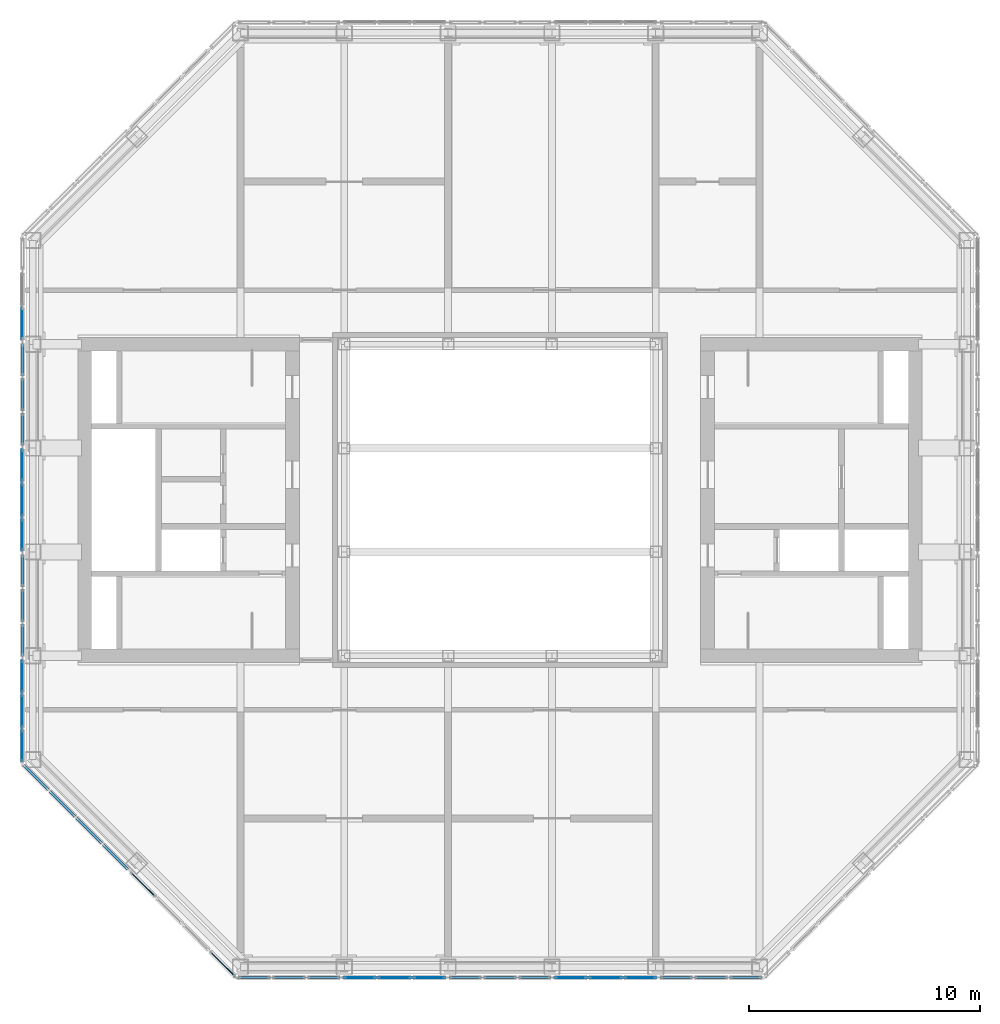
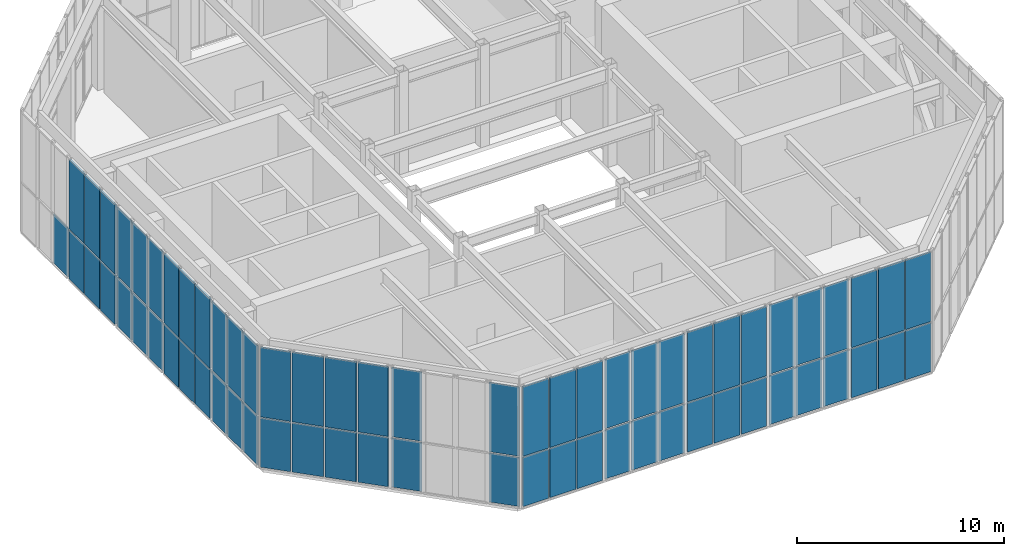
# One storey, part 10 of 15: 67 plates, 12 elements without a shape of their own.
"""IFC4 building model written with IfcOpenShell, lengths in metres."""

from ifc_helpers import new_model, si_unit, direction, frame, origin, origin_2d, place, context, subcontext, project, spatial, rectangle, extrude, material, layer, layer_set, type_object, element, aggregate, save


model = new_model("IFC4")

# Units and contexts
model_context = context("Model", 3, precision=1e-05, world=origin(), true_north=direction((0.0, 1.0)))
body_context = subcontext(model_context, "Body", "Model", "MODEL_VIEW")
ifc_project = project(units=[si_unit("LENGTHUNIT", "METRE"), si_unit("AREAUNIT", "SQUARE_METRE"), si_unit("VOLUMEUNIT", "CUBIC_METRE"), si_unit("PLANEANGLEUNIT", "RADIAN"), si_unit("MASSUNIT", "GRAM", prefix="KILO")], contexts=[model_context])

# Site, building, storey
site_placement = place(None, origin())
site = spatial("IfcSite", under=ifc_project, at=site_placement, CompositionType="ELEMENT")
building_placement = place(site_placement, origin())
building = spatial("IfcBuilding", under=site, at=building_placement, Name="Msasa Ring Tower", CompositionType="ELEMENT")
storey_placement = place(building_placement, frame((0.0, 0.0, 268.050048828125)))
storey = spatial("IfcBuildingStorey", under=building, at=storey_placement, Name="L69", CompositionType="ELEMENT", Elevation=268.050048828125)

# Curtain wall, plates
ifc_material_1 = material(Name="Aluminium curtain wall with clear glass", Category="aluminium")
curtain_wall_type_1 = type_object("IfcCurtainWallType", Name="CW-L LANTERN CURTAIN WALL", PredefinedType="NOTDEFINED", material=ifc_material_1)
curtain_wall_1_placement = place(storey_placement, origin())
curtain_wall_1 = element("IfcCurtainWall", 1, at=curtain_wall_1_placement, inside=storey, type_object=curtain_wall_type_1, Name="Lantern curtain wall S2 L69", PredefinedType="NOTDEFINED")
ifc_material_2 = material(Name="Clear laminated insulating glass unit", Category="glass")
ifc_layer_1 = layer(ifc_material_2, 0.0400390625)
ifc_layer_set_1 = layer_set([ifc_layer_1], Name="CW-L GLASS PANEL 40")
plate_type_1 = type_object("IfcPlateType", Name="CW-L GLASS PANEL 40", PredefinedType="CURTAIN_PANEL", material=ifc_layer_set_1)
plate_1_placement = place(storey_placement, frame((-6.079345703125, -20.699951171875, 0.080078125), z_axis=(0.0, 0.0, 1.0), x_axis=(1.0, 0.0, 0.0)))
plate_1 = element("IfcPlate", 2, at=plate_1_placement, type_object=plate_type_1, Name="CW-L panel 1.1", PredefinedType="CURTAIN_PANEL", context=body_context, shape_type="SweptSolid", body=[
    extrude(rectangle(XDim=1.40478515625, YDim=0.0400390625, at=origin_2d()), origin(), (0.0, 0.0, 1.0), 2.8798828125),
])
plate_2_placement = place(storey_placement, frame((-6.079345703125, -20.699951171875, 3.039794921875), z_axis=(0.0, 0.0, 1.0), x_axis=(1.0, 0.0, 0.0)))
plate_2 = element("IfcPlate", 3, at=plate_2_placement, type_object=plate_type_1, Name="CW-L panel 1.2", PredefinedType="CURTAIN_PANEL", context=body_context, shape_type="SweptSolid", body=[
    extrude(rectangle(XDim=1.40478515625, YDim=0.0400390625, at=origin_2d()), origin(), (0.0, 0.0, 1.0), 4.080078125),
])
plate_3_placement = place(storey_placement, frame((-4.574462890625, -20.699951171875, 0.080078125), z_axis=(0.0, 0.0, 1.0), x_axis=(1.0, 0.0, 0.0)))
plate_3 = element("IfcPlate", 4, at=plate_3_placement, type_object=plate_type_1, Name="CW-L panel 2.1", PredefinedType="CURTAIN_PANEL", context=body_context, shape_type="SweptSolid", body=[
    extrude(rectangle(XDim=1.44482421875, YDim=0.0400390625, at=origin_2d()), origin(), (0.0, 0.0, 1.0), 2.8798828125),
])
plate_4_placement = place(storey_placement, frame((-4.574462890625, -20.699951171875, 3.039794921875), z_axis=(0.0, 0.0, 1.0), x_axis=(1.0, 0.0, 0.0)))
plate_4 = element("IfcPlate", 5, at=plate_4_placement, type_object=plate_type_1, Name="CW-L panel 2.2", PredefinedType="CURTAIN_PANEL", context=body_context, shape_type="SweptSolid", body=[
    extrude(rectangle(XDim=1.44482421875, YDim=0.0400390625, at=origin_2d()), origin(), (0.0, 0.0, 1.0), 4.080078125),
])
plate_5_placement = place(storey_placement, frame((-3.06982421875, -20.699951171875, 0.080078125), z_axis=(0.0, 0.0, 1.0), x_axis=(1.0, 0.0, 0.0)))
plate_5 = element("IfcPlate", 6, at=plate_5_placement, type_object=plate_type_1, Name="CW-L panel 3.1", PredefinedType="CURTAIN_PANEL", context=body_context, shape_type="SweptSolid", body=[
    extrude(rectangle(XDim=1.40478515625, YDim=0.0400390625, at=origin_2d()), origin(), (0.0, 0.0, 1.0), 2.8798828125),
])
plate_6_placement = place(storey_placement, frame((-3.06982421875, -20.699951171875, 3.039794921875), z_axis=(0.0, 0.0, 1.0), x_axis=(1.0, 0.0, 0.0)))
plate_6 = element("IfcPlate", 7, at=plate_6_placement, type_object=plate_type_1, Name="CW-L panel 3.2", PredefinedType="CURTAIN_PANEL", context=body_context, shape_type="SweptSolid", body=[
    extrude(rectangle(XDim=1.40478515625, YDim=0.0400390625, at=origin_2d()), origin(), (0.0, 0.0, 1.0), 4.080078125),
])
aggregate(curtain_wall_1, [plate_1, plate_2, plate_3, plate_4, plate_5, plate_6])

curtain_wall_2_placement = place(storey_placement, origin())
curtain_wall_2 = element("IfcCurtainWall", 8, at=curtain_wall_2_placement, inside=storey, type_object=curtain_wall_type_1, Name="Lantern curtain wall S4 L69", PredefinedType="NOTDEFINED")
plate_7_placement = place(storey_placement, frame((3.06982421875, -20.699951171875, 0.080078125), z_axis=(0.0, 0.0, 1.0), x_axis=(1.0, 0.0, 0.0)))
plate_7 = element("IfcPlate", 9, at=plate_7_placement, type_object=plate_type_1, Name="CW-L panel 1.1", PredefinedType="CURTAIN_PANEL", context=body_context, shape_type="SweptSolid", body=[
    extrude(rectangle(XDim=1.40478515625, YDim=0.0400390625, at=origin_2d()), origin(), (0.0, 0.0, 1.0), 2.8798828125),
])
plate_8_placement = place(storey_placement, frame((3.06982421875, -20.699951171875, 3.039794921875), z_axis=(0.0, 0.0, 1.0), x_axis=(1.0, 0.0, 0.0)))
plate_8 = element("IfcPlate", 10, at=plate_8_placement, type_object=plate_type_1, Name="CW-L panel 1.2", PredefinedType="CURTAIN_PANEL", context=body_context, shape_type="SweptSolid", body=[
    extrude(rectangle(XDim=1.40478515625, YDim=0.0400390625, at=origin_2d()), origin(), (0.0, 0.0, 1.0), 4.080078125),
])
plate_9_placement = place(storey_placement, frame((4.574462890625, -20.699951171875, 0.080078125), z_axis=(0.0, 0.0, 1.0), x_axis=(1.0, 0.0, 0.0)))
plate_9 = element("IfcPlate", 11, at=plate_9_placement, type_object=plate_type_1, Name="CW-L panel 2.1", PredefinedType="CURTAIN_PANEL", context=body_context, shape_type="SweptSolid", body=[
    extrude(rectangle(XDim=1.44482421875, YDim=0.0400390625, at=origin_2d()), origin(), (0.0, 0.0, 1.0), 2.8798828125),
])
plate_10_placement = place(storey_placement, frame((4.574462890625, -20.699951171875, 3.039794921875), z_axis=(0.0, 0.0, 1.0), x_axis=(1.0, 0.0, 0.0)))
plate_10 = element("IfcPlate", 12, at=plate_10_placement, type_object=plate_type_1, Name="CW-L panel 2.2", PredefinedType="CURTAIN_PANEL", context=body_context, shape_type="SweptSolid", body=[
    extrude(rectangle(XDim=1.44482421875, YDim=0.0400390625, at=origin_2d()), origin(), (0.0, 0.0, 1.0), 4.080078125),
])
plate_11_placement = place(storey_placement, frame((6.079345703125, -20.699951171875, 0.080078125), z_axis=(0.0, 0.0, 1.0), x_axis=(1.0, 0.0, 0.0)))
plate_11 = element("IfcPlate", 13, at=plate_11_placement, type_object=plate_type_1, Name="CW-L panel 3.1", PredefinedType="CURTAIN_PANEL", context=body_context, shape_type="SweptSolid", body=[
    extrude(rectangle(XDim=1.40478515625, YDim=0.0400390625, at=origin_2d()), origin(), (0.0, 0.0, 1.0), 2.8798828125),
])
plate_12_placement = place(storey_placement, frame((6.079345703125, -20.699951171875, 3.039794921875), z_axis=(0.0, 0.0, 1.0), x_axis=(1.0, 0.0, 0.0)))
plate_12 = element("IfcPlate", 14, at=plate_12_placement, type_object=plate_type_1, Name="CW-L panel 3.2", PredefinedType="CURTAIN_PANEL", context=body_context, shape_type="SweptSolid", body=[
    extrude(rectangle(XDim=1.40478515625, YDim=0.0400390625, at=origin_2d()), origin(), (0.0, 0.0, 1.0), 4.080078125),
])
aggregate(curtain_wall_2, [plate_7, plate_8, plate_9, plate_10, plate_11, plate_12])

# Curtain wall, plate
curtain_wall_3_placement = place(storey_placement, origin())
curtain_wall_3 = element("IfcCurtainWall", 15, at=curtain_wall_3_placement, inside=storey, type_object=curtain_wall_type_1, Name="Lantern curtain wall W2 L69", PredefinedType="NOTDEFINED")
plate_13_placement = place(storey_placement, frame((-20.699951171875, 7.644287109375, 0.080078125), z_axis=(0.0, 0.0, 1.0), x_axis=(0.0, -1.0, 0.0)))
plate_13 = element("IfcPlate", 16, at=plate_13_placement, type_object=plate_type_1, Name="CW-L panel 2.1", PredefinedType="CURTAIN_PANEL", context=body_context, shape_type="SweptSolid", body=[
    extrude(rectangle(XDim=1.40478515625, YDim=0.0400390625, at=origin_2d()), origin(), (0.0, 0.0, 1.0), 2.8798828125),
])
aggregate(curtain_wall_3, [plate_13])

# Curtain wall, plates
curtain_wall_4_placement = place(storey_placement, origin())
curtain_wall_4 = element("IfcCurtainWall", 17, at=curtain_wall_4_placement, inside=storey, type_object=curtain_wall_type_1, Name="Lantern curtain wall W4 L69", PredefinedType="NOTDEFINED")
plate_14_placement = place(storey_placement, frame((-20.699951171875, 1.5048828125, 0.080078125), z_axis=(0.0, 0.0, 1.0), x_axis=(0.0, -1.0, 0.0)))
plate_14 = element("IfcPlate", 18, at=plate_14_placement, type_object=plate_type_1, Name="CW-L panel 1.1", PredefinedType="CURTAIN_PANEL", context=body_context, shape_type="SweptSolid", body=[
    extrude(rectangle(XDim=1.40478515625, YDim=0.0400390625, at=origin_2d()), origin(), (0.0, 0.0, 1.0), 2.8798828125),
])
plate_15_placement = place(storey_placement, frame((-20.699951171875, 1.5048828125, 3.039794921875), z_axis=(0.0, 0.0, 1.0), x_axis=(0.0, -1.0, 0.0)))
plate_15 = element("IfcPlate", 19, at=plate_15_placement, type_object=plate_type_1, Name="CW-L panel 1.2", PredefinedType="CURTAIN_PANEL", context=body_context, shape_type="SweptSolid", body=[
    extrude(rectangle(XDim=1.40478515625, YDim=0.0400390625, at=origin_2d()), origin(), (0.0, 0.0, 1.0), 4.080078125),
])
plate_16_placement = place(storey_placement, frame((-20.699951171875, 0.0, 0.080078125), z_axis=(0.0, 0.0, 1.0), x_axis=(0.0, -1.0, 0.0)))
plate_16 = element("IfcPlate", 20, at=plate_16_placement, type_object=plate_type_1, Name="CW-L panel 2.1", PredefinedType="CURTAIN_PANEL", context=body_context, shape_type="SweptSolid", body=[
    extrude(rectangle(XDim=1.44482421875, YDim=0.0400390625, at=origin_2d()), origin(), (0.0, 0.0, 1.0), 2.8798828125),
])
plate_17_placement = place(storey_placement, frame((-20.699951171875, 0.0, 3.039794921875), z_axis=(0.0, 0.0, 1.0), x_axis=(0.0, -1.0, 0.0)))
plate_17 = element("IfcPlate", 21, at=plate_17_placement, type_object=plate_type_1, Name="CW-L panel 2.2", PredefinedType="CURTAIN_PANEL", context=body_context, shape_type="SweptSolid", body=[
    extrude(rectangle(XDim=1.44482421875, YDim=0.0400390625, at=origin_2d()), origin(), (0.0, 0.0, 1.0), 4.080078125),
])
plate_18_placement = place(storey_placement, frame((-20.699951171875, -1.5048828125, 0.080078125), z_axis=(0.0, 0.0, 1.0), x_axis=(0.0, -1.0, 0.0)))
plate_18 = element("IfcPlate", 22, at=plate_18_placement, type_object=plate_type_1, Name="CW-L panel 3.1", PredefinedType="CURTAIN_PANEL", context=body_context, shape_type="SweptSolid", body=[
    extrude(rectangle(XDim=1.40478515625, YDim=0.0400390625, at=origin_2d()), origin(), (0.0, 0.0, 1.0), 2.8798828125),
])
plate_19_placement = place(storey_placement, frame((-20.699951171875, -1.5048828125, 3.039794921875), z_axis=(0.0, 0.0, 1.0), x_axis=(0.0, -1.0, 0.0)))
plate_19 = element("IfcPlate", 23, at=plate_19_placement, type_object=plate_type_1, Name="CW-L panel 3.2", PredefinedType="CURTAIN_PANEL", context=body_context, shape_type="SweptSolid", body=[
    extrude(rectangle(XDim=1.40478515625, YDim=0.0400390625, at=origin_2d()), origin(), (0.0, 0.0, 1.0), 4.080078125),
])
aggregate(curtain_wall_4, [plate_14, plate_15, plate_16, plate_17, plate_18, plate_19])

curtain_wall_5_placement = place(storey_placement, origin())
curtain_wall_5 = element("IfcCurtainWall", 24, at=curtain_wall_5_placement, inside=storey, type_object=curtain_wall_type_1, Name="Lantern curtain wall W6 L69", PredefinedType="NOTDEFINED")
plate_20_placement = place(storey_placement, frame((-20.699951171875, -7.644287109375, 0.080078125), z_axis=(0.0, 0.0, 1.0), x_axis=(0.0, -1.0, 0.0)))
plate_20 = element("IfcPlate", 25, at=plate_20_placement, type_object=plate_type_1, Name="CW-L panel 1.1", PredefinedType="CURTAIN_PANEL", context=body_context, shape_type="SweptSolid", body=[
    extrude(rectangle(XDim=1.40478515625, YDim=0.0400390625, at=origin_2d()), origin(), (0.0, 0.0, 1.0), 2.8798828125),
])
plate_21_placement = place(storey_placement, frame((-20.699951171875, -7.644287109375, 3.039794921875), z_axis=(0.0, 0.0, 1.0), x_axis=(0.0, -1.0, 0.0)))
plate_21 = element("IfcPlate", 26, at=plate_21_placement, type_object=plate_type_1, Name="CW-L panel 1.2", PredefinedType="CURTAIN_PANEL", context=body_context, shape_type="SweptSolid", body=[
    extrude(rectangle(XDim=1.40478515625, YDim=0.0400390625, at=origin_2d()), origin(), (0.0, 0.0, 1.0), 4.080078125),
])
plate_22_placement = place(storey_placement, frame((-20.699951171875, -9.149169921875, 0.080078125), z_axis=(0.0, 0.0, 1.0), x_axis=(0.0, -1.0, 0.0)))
plate_22 = element("IfcPlate", 27, at=plate_22_placement, type_object=plate_type_1, Name="CW-L panel 2.1", PredefinedType="CURTAIN_PANEL", context=body_context, shape_type="SweptSolid", body=[
    extrude(rectangle(XDim=1.44482421875, YDim=0.0400390625, at=origin_2d()), origin(), (0.0, 0.0, 1.0), 2.8798828125),
])
plate_23_placement = place(storey_placement, frame((-20.699951171875, -9.149169921875, 3.039794921875), z_axis=(0.0, 0.0, 1.0), x_axis=(0.0, -1.0, 0.0)))
plate_23 = element("IfcPlate", 28, at=plate_23_placement, type_object=plate_type_1, Name="CW-L panel 2.2", PredefinedType="CURTAIN_PANEL", context=body_context, shape_type="SweptSolid", body=[
    extrude(rectangle(XDim=1.44482421875, YDim=0.0400390625, at=origin_2d()), origin(), (0.0, 0.0, 1.0), 4.080078125),
])
plate_24_placement = place(storey_placement, frame((-20.699951171875, -10.654052734375, 0.080078125), z_axis=(0.0, 0.0, 1.0), x_axis=(0.0, -1.0, 0.0)))
plate_24 = element("IfcPlate", 29, at=plate_24_placement, type_object=plate_type_1, Name="CW-L panel 3.1", PredefinedType="CURTAIN_PANEL", context=body_context, shape_type="SweptSolid", body=[
    extrude(rectangle(XDim=1.40478515625, YDim=0.0400390625, at=origin_2d()), origin(), (0.0, 0.0, 1.0), 2.8798828125),
])
plate_25_placement = place(storey_placement, frame((-20.699951171875, -10.654052734375, 3.039794921875), z_axis=(0.0, 0.0, 1.0), x_axis=(0.0, -1.0, 0.0)))
plate_25 = element("IfcPlate", 30, at=plate_25_placement, type_object=plate_type_1, Name="CW-L panel 3.2", PredefinedType="CURTAIN_PANEL", context=body_context, shape_type="SweptSolid", body=[
    extrude(rectangle(XDim=1.40478515625, YDim=0.0400390625, at=origin_2d()), origin(), (0.0, 0.0, 1.0), 4.080078125),
])
aggregate(curtain_wall_5, [plate_20, plate_21, plate_22, plate_23, plate_24, plate_25])

curtain_wall_6_placement = place(storey_placement, origin())
curtain_wall_6 = element("IfcCurtainWall", 31, at=curtain_wall_6_placement, inside=storey, type_object=curtain_wall_type_1, Name="Lantern curtain wall SW2 L69", PredefinedType="NOTDEFINED")
plate_26_placement = place(storey_placement, frame((-15.47509765625, -16.661376953125, 0.080078125), z_axis=(0.0, 0.0, 1.0), x_axis=(0.707106781187, -0.707106781187, 0.0)))
plate_26 = element("IfcPlate", 32, at=plate_26_placement, type_object=plate_type_1, Name="CW-L panel 1.1", PredefinedType="CURTAIN_PANEL", context=body_context, shape_type="SweptSolid", body=[
    extrude(rectangle(XDim=1.517578125, YDim=0.0400390625, at=origin_2d()), origin(), (0.0, 0.0, 1.0), 2.8798828125),
])
plate_27_placement = place(storey_placement, frame((-15.47509765625, -16.661376953125, 3.039794921875), z_axis=(0.0, 0.0, 1.0), x_axis=(0.707106781187, -0.707106781187, 0.0)))
plate_27 = element("IfcPlate", 33, at=plate_27_placement, type_object=plate_type_1, Name="CW-L panel 1.2", PredefinedType="CURTAIN_PANEL", context=body_context, shape_type="SweptSolid", body=[
    extrude(rectangle(XDim=1.517578125, YDim=0.0400390625, at=origin_2d()), origin(), (0.0, 0.0, 1.0), 4.080078125),
])
plate_28_placement = place(storey_placement, frame((-12.029541015625, -20.10693359375, 0.080078125), z_axis=(0.0, 0.0, 1.0), x_axis=(0.707106781187, -0.707106781187, 0.0)))
plate_28 = element("IfcPlate", 34, at=plate_28_placement, type_object=plate_type_1, Name="CW-L panel 4.1", PredefinedType="CURTAIN_PANEL", context=body_context, shape_type="SweptSolid", body=[
    extrude(rectangle(XDim=1.517578125, YDim=0.0400390625, at=origin_2d()), origin(), (0.0, 0.0, 1.0), 2.8798828125),
])
plate_29_placement = place(storey_placement, frame((-12.029541015625, -20.10693359375, 3.039794921875), z_axis=(0.0, 0.0, 1.0), x_axis=(0.707106781187, -0.707106781187, 0.0)))
plate_29 = element("IfcPlate", 35, at=plate_29_placement, type_object=plate_type_1, Name="CW-L panel 4.2", PredefinedType="CURTAIN_PANEL", context=body_context, shape_type="SweptSolid", body=[
    extrude(rectangle(XDim=1.517578125, YDim=0.0400390625, at=origin_2d()), origin(), (0.0, 0.0, 1.0), 4.080078125),
])
aggregate(curtain_wall_6, [plate_26, plate_27, plate_28, plate_29])

ifc_material_3 = material(Name="Aluminium curtain wall with insulated terracotta-faced panels", Category="masonry")
curtain_wall_type_2 = type_object("IfcCurtainWallType", Name="CW-O OPAQUE LANTERN CURTAIN WALL", PredefinedType="NOTDEFINED", material=ifc_material_3)
curtain_wall_7_placement = place(storey_placement, origin())
curtain_wall_7 = element("IfcCurtainWall", 36, at=curtain_wall_7_placement, inside=storey, type_object=curtain_wall_type_2, Name="Lantern opaque curtain wall S1 L69", PredefinedType="NOTDEFINED")
ifc_material_4 = material(Name="Terracotta-faced insulated panel", Category="masonry")
ifc_layer_2 = layer(ifc_material_4, 0.10009765625)
ifc_layer_set_2 = layer_set([ifc_layer_2], Name="CW-O INSULATED PANEL 100")
plate_type_2 = type_object("IfcPlateType", Name="CW-O INSULATED PANEL 100", PredefinedType="CURTAIN_PANEL", material=ifc_layer_set_2)
plate_30_placement = place(storey_placement, frame((-10.654052734375, -20.699951171875, 0.080078125), z_axis=(0.0, 0.0, 1.0), x_axis=(1.0, 0.0, 0.0)))
plate_30 = element("IfcPlate", 37, at=plate_30_placement, type_object=plate_type_2, Name="CW-O panel 1.1", PredefinedType="CURTAIN_PANEL", context=body_context, shape_type="SweptSolid", body=[
    extrude(rectangle(XDim=1.40478515625, YDim=0.10009765625, at=origin_2d()), origin(), (0.0, 0.0, 1.0), 2.8798828125),
])
plate_31_placement = place(storey_placement, frame((-10.654052734375, -20.699951171875, 3.039794921875), z_axis=(0.0, 0.0, 1.0), x_axis=(1.0, 0.0, 0.0)))
plate_31 = element("IfcPlate", 38, at=plate_31_placement, type_object=plate_type_2, Name="CW-O panel 1.2", PredefinedType="CURTAIN_PANEL", context=body_context, shape_type="SweptSolid", body=[
    extrude(rectangle(XDim=1.40478515625, YDim=0.10009765625, at=origin_2d()), origin(), (0.0, 0.0, 1.0), 4.080078125),
])
plate_32_placement = place(storey_placement, frame((-9.149169921875, -20.699951171875, 0.080078125), z_axis=(0.0, 0.0, 1.0), x_axis=(1.0, 0.0, 0.0)))
plate_32 = element("IfcPlate", 39, at=plate_32_placement, type_object=plate_type_2, Name="CW-O panel 2.1", PredefinedType="CURTAIN_PANEL", context=body_context, shape_type="SweptSolid", body=[
    extrude(rectangle(XDim=1.44482421875, YDim=0.10009765625, at=origin_2d()), origin(), (0.0, 0.0, 1.0), 2.8798828125),
])
plate_33_placement = place(storey_placement, frame((-9.149169921875, -20.699951171875, 3.039794921875), z_axis=(0.0, 0.0, 1.0), x_axis=(1.0, 0.0, 0.0)))
plate_33 = element("IfcPlate", 40, at=plate_33_placement, type_object=plate_type_2, Name="CW-O panel 2.2", PredefinedType="CURTAIN_PANEL", context=body_context, shape_type="SweptSolid", body=[
    extrude(rectangle(XDim=1.44482421875, YDim=0.10009765625, at=origin_2d()), origin(), (0.0, 0.0, 1.0), 4.080078125),
])
plate_34_placement = place(storey_placement, frame((-7.644287109375, -20.699951171875, 0.080078125), z_axis=(0.0, 0.0, 1.0), x_axis=(1.0, 0.0, 0.0)))
plate_34 = element("IfcPlate", 41, at=plate_34_placement, type_object=plate_type_2, Name="CW-O panel 3.1", PredefinedType="CURTAIN_PANEL", context=body_context, shape_type="SweptSolid", body=[
    extrude(rectangle(XDim=1.40478515625, YDim=0.10009765625, at=origin_2d()), origin(), (0.0, 0.0, 1.0), 2.8798828125),
])
plate_35_placement = place(storey_placement, frame((-7.644287109375, -20.699951171875, 3.039794921875), z_axis=(0.0, 0.0, 1.0), x_axis=(1.0, 0.0, 0.0)))
plate_35 = element("IfcPlate", 42, at=plate_35_placement, type_object=plate_type_2, Name="CW-O panel 3.2", PredefinedType="CURTAIN_PANEL", context=body_context, shape_type="SweptSolid", body=[
    extrude(rectangle(XDim=1.40478515625, YDim=0.10009765625, at=origin_2d()), origin(), (0.0, 0.0, 1.0), 4.080078125),
])
aggregate(curtain_wall_7, [plate_30, plate_31, plate_32, plate_33, plate_34, plate_35])

curtain_wall_8_placement = place(storey_placement, origin())
curtain_wall_8 = element("IfcCurtainWall", 43, at=curtain_wall_8_placement, inside=storey, type_object=curtain_wall_type_2, Name="Lantern opaque curtain wall S3 L69", PredefinedType="NOTDEFINED")
plate_36_placement = place(storey_placement, frame((-1.5048828125, -20.699951171875, 0.080078125), z_axis=(0.0, 0.0, 1.0), x_axis=(1.0, 0.0, 0.0)))
plate_36 = element("IfcPlate", 44, at=plate_36_placement, type_object=plate_type_2, Name="CW-O panel 1.1", PredefinedType="CURTAIN_PANEL", context=body_context, shape_type="SweptSolid", body=[
    extrude(rectangle(XDim=1.40478515625, YDim=0.10009765625, at=origin_2d()), origin(), (0.0, 0.0, 1.0), 2.8798828125),
])
plate_37_placement = place(storey_placement, frame((-1.5048828125, -20.699951171875, 3.039794921875), z_axis=(0.0, 0.0, 1.0), x_axis=(1.0, 0.0, 0.0)))
plate_37 = element("IfcPlate", 45, at=plate_37_placement, type_object=plate_type_2, Name="CW-O panel 1.2", PredefinedType="CURTAIN_PANEL", context=body_context, shape_type="SweptSolid", body=[
    extrude(rectangle(XDim=1.40478515625, YDim=0.10009765625, at=origin_2d()), origin(), (0.0, 0.0, 1.0), 4.080078125),
])
plate_38_placement = place(storey_placement, frame((0.0, -20.699951171875, 0.080078125), z_axis=(0.0, 0.0, 1.0), x_axis=(1.0, 0.0, 0.0)))
plate_38 = element("IfcPlate", 46, at=plate_38_placement, type_object=plate_type_2, Name="CW-O panel 2.1", PredefinedType="CURTAIN_PANEL", context=body_context, shape_type="SweptSolid", body=[
    extrude(rectangle(XDim=1.44482421875, YDim=0.10009765625, at=origin_2d()), origin(), (0.0, 0.0, 1.0), 2.8798828125),
])
plate_39_placement = place(storey_placement, frame((0.0, -20.699951171875, 3.039794921875), z_axis=(0.0, 0.0, 1.0), x_axis=(1.0, 0.0, 0.0)))
plate_39 = element("IfcPlate", 47, at=plate_39_placement, type_object=plate_type_2, Name="CW-O panel 2.2", PredefinedType="CURTAIN_PANEL", context=body_context, shape_type="SweptSolid", body=[
    extrude(rectangle(XDim=1.44482421875, YDim=0.10009765625, at=origin_2d()), origin(), (0.0, 0.0, 1.0), 4.080078125),
])
plate_40_placement = place(storey_placement, frame((1.5048828125, -20.699951171875, 0.080078125), z_axis=(0.0, 0.0, 1.0), x_axis=(1.0, 0.0, 0.0)))
plate_40 = element("IfcPlate", 48, at=plate_40_placement, type_object=plate_type_2, Name="CW-O panel 3.1", PredefinedType="CURTAIN_PANEL", context=body_context, shape_type="SweptSolid", body=[
    extrude(rectangle(XDim=1.40478515625, YDim=0.10009765625, at=origin_2d()), origin(), (0.0, 0.0, 1.0), 2.8798828125),
])
plate_41_placement = place(storey_placement, frame((1.5048828125, -20.699951171875, 3.039794921875), z_axis=(0.0, 0.0, 1.0), x_axis=(1.0, 0.0, 0.0)))
plate_41 = element("IfcPlate", 49, at=plate_41_placement, type_object=plate_type_2, Name="CW-O panel 3.2", PredefinedType="CURTAIN_PANEL", context=body_context, shape_type="SweptSolid", body=[
    extrude(rectangle(XDim=1.40478515625, YDim=0.10009765625, at=origin_2d()), origin(), (0.0, 0.0, 1.0), 4.080078125),
])
aggregate(curtain_wall_8, [plate_36, plate_37, plate_38, plate_39, plate_40, plate_41])

curtain_wall_9_placement = place(storey_placement, origin())
curtain_wall_9 = element("IfcCurtainWall", 50, at=curtain_wall_9_placement, inside=storey, type_object=curtain_wall_type_2, Name="Lantern opaque curtain wall S5 L69", PredefinedType="NOTDEFINED")
plate_42_placement = place(storey_placement, frame((7.644287109375, -20.699951171875, 0.080078125), z_axis=(0.0, 0.0, 1.0), x_axis=(1.0, 0.0, 0.0)))
plate_42 = element("IfcPlate", 51, at=plate_42_placement, type_object=plate_type_2, Name="CW-O panel 1.1", PredefinedType="CURTAIN_PANEL", context=body_context, shape_type="SweptSolid", body=[
    extrude(rectangle(XDim=1.40478515625, YDim=0.10009765625, at=origin_2d()), origin(), (0.0, 0.0, 1.0), 2.8798828125),
])
plate_43_placement = place(storey_placement, frame((7.644287109375, -20.699951171875, 3.039794921875), z_axis=(0.0, 0.0, 1.0), x_axis=(1.0, 0.0, 0.0)))
plate_43 = element("IfcPlate", 52, at=plate_43_placement, type_object=plate_type_2, Name="CW-O panel 1.2", PredefinedType="CURTAIN_PANEL", context=body_context, shape_type="SweptSolid", body=[
    extrude(rectangle(XDim=1.40478515625, YDim=0.10009765625, at=origin_2d()), origin(), (0.0, 0.0, 1.0), 4.080078125),
])
plate_44_placement = place(storey_placement, frame((9.149169921875, -20.699951171875, 0.080078125), z_axis=(0.0, 0.0, 1.0), x_axis=(1.0, 0.0, 0.0)))
plate_44 = element("IfcPlate", 53, at=plate_44_placement, type_object=plate_type_2, Name="CW-O panel 2.1", PredefinedType="CURTAIN_PANEL", context=body_context, shape_type="SweptSolid", body=[
    extrude(rectangle(XDim=1.44482421875, YDim=0.10009765625, at=origin_2d()), origin(), (0.0, 0.0, 1.0), 2.8798828125),
])
plate_45_placement = place(storey_placement, frame((9.149169921875, -20.699951171875, 3.039794921875), z_axis=(0.0, 0.0, 1.0), x_axis=(1.0, 0.0, 0.0)))
plate_45 = element("IfcPlate", 54, at=plate_45_placement, type_object=plate_type_2, Name="CW-O panel 2.2", PredefinedType="CURTAIN_PANEL", context=body_context, shape_type="SweptSolid", body=[
    extrude(rectangle(XDim=1.44482421875, YDim=0.10009765625, at=origin_2d()), origin(), (0.0, 0.0, 1.0), 4.080078125),
])
plate_46_placement = place(storey_placement, frame((10.654052734375, -20.699951171875, 0.080078125), z_axis=(0.0, 0.0, 1.0), x_axis=(1.0, 0.0, 0.0)))
plate_46 = element("IfcPlate", 55, at=plate_46_placement, type_object=plate_type_2, Name="CW-O panel 3.1", PredefinedType="CURTAIN_PANEL", context=body_context, shape_type="SweptSolid", body=[
    extrude(rectangle(XDim=1.40478515625, YDim=0.10009765625, at=origin_2d()), origin(), (0.0, 0.0, 1.0), 2.8798828125),
])
plate_47_placement = place(storey_placement, frame((10.654052734375, -20.699951171875, 3.039794921875), z_axis=(0.0, 0.0, 1.0), x_axis=(1.0, 0.0, 0.0)))
plate_47 = element("IfcPlate", 56, at=plate_47_placement, type_object=plate_type_2, Name="CW-O panel 3.2", PredefinedType="CURTAIN_PANEL", context=body_context, shape_type="SweptSolid", body=[
    extrude(rectangle(XDim=1.40478515625, YDim=0.10009765625, at=origin_2d()), origin(), (0.0, 0.0, 1.0), 4.080078125),
])
aggregate(curtain_wall_9, [plate_42, plate_43, plate_44, plate_45, plate_46, plate_47])

curtain_wall_10_placement = place(storey_placement, origin())
curtain_wall_10 = element("IfcCurtainWall", 57, at=curtain_wall_10_placement, inside=storey, type_object=curtain_wall_type_2, Name="Lantern opaque curtain wall W3 L69", PredefinedType="NOTDEFINED")
plate_48_placement = place(storey_placement, frame((-20.699951171875, 6.079345703125, 0.080078125), z_axis=(0.0, 0.0, 1.0), x_axis=(0.0, -1.0, 0.0)))
plate_48 = element("IfcPlate", 58, at=plate_48_placement, type_object=plate_type_2, Name="CW-O panel 1.1", PredefinedType="CURTAIN_PANEL", context=body_context, shape_type="SweptSolid", body=[
    extrude(rectangle(XDim=1.40478515625, YDim=0.10009765625, at=origin_2d()), origin(), (0.0, 0.0, 1.0), 2.8798828125),
])
plate_49_placement = place(storey_placement, frame((-20.699951171875, 6.079345703125, 3.039794921875), z_axis=(0.0, 0.0, 1.0), x_axis=(0.0, -1.0, 0.0)))
plate_49 = element("IfcPlate", 59, at=plate_49_placement, type_object=plate_type_2, Name="CW-O panel 1.2", PredefinedType="CURTAIN_PANEL", context=body_context, shape_type="SweptSolid", body=[
    extrude(rectangle(XDim=1.40478515625, YDim=0.10009765625, at=origin_2d()), origin(), (0.0, 0.0, 1.0), 4.080078125),
])
plate_50_placement = place(storey_placement, frame((-20.699951171875, 4.574462890625, 0.080078125), z_axis=(0.0, 0.0, 1.0), x_axis=(0.0, -1.0, 0.0)))
plate_50 = element("IfcPlate", 60, at=plate_50_placement, type_object=plate_type_2, Name="CW-O panel 2.1", PredefinedType="CURTAIN_PANEL", context=body_context, shape_type="SweptSolid", body=[
    extrude(rectangle(XDim=1.44482421875, YDim=0.10009765625, at=origin_2d()), origin(), (0.0, 0.0, 1.0), 2.8798828125),
])
plate_51_placement = place(storey_placement, frame((-20.699951171875, 4.574462890625, 3.039794921875), z_axis=(0.0, 0.0, 1.0), x_axis=(0.0, -1.0, 0.0)))
plate_51 = element("IfcPlate", 61, at=plate_51_placement, type_object=plate_type_2, Name="CW-O panel 2.2", PredefinedType="CURTAIN_PANEL", context=body_context, shape_type="SweptSolid", body=[
    extrude(rectangle(XDim=1.44482421875, YDim=0.10009765625, at=origin_2d()), origin(), (0.0, 0.0, 1.0), 4.080078125),
])
plate_52_placement = place(storey_placement, frame((-20.699951171875, 3.06982421875, 0.080078125), z_axis=(0.0, 0.0, 1.0), x_axis=(0.0, -1.0, 0.0)))
plate_52 = element("IfcPlate", 62, at=plate_52_placement, type_object=plate_type_2, Name="CW-O panel 3.1", PredefinedType="CURTAIN_PANEL", context=body_context, shape_type="SweptSolid", body=[
    extrude(rectangle(XDim=1.40478515625, YDim=0.10009765625, at=origin_2d()), origin(), (0.0, 0.0, 1.0), 2.8798828125),
])
plate_53_placement = place(storey_placement, frame((-20.699951171875, 3.06982421875, 3.039794921875), z_axis=(0.0, 0.0, 1.0), x_axis=(0.0, -1.0, 0.0)))
plate_53 = element("IfcPlate", 63, at=plate_53_placement, type_object=plate_type_2, Name="CW-O panel 3.2", PredefinedType="CURTAIN_PANEL", context=body_context, shape_type="SweptSolid", body=[
    extrude(rectangle(XDim=1.40478515625, YDim=0.10009765625, at=origin_2d()), origin(), (0.0, 0.0, 1.0), 4.080078125),
])
aggregate(curtain_wall_10, [plate_48, plate_49, plate_50, plate_51, plate_52, plate_53])

curtain_wall_11_placement = place(storey_placement, origin())
curtain_wall_11 = element("IfcCurtainWall", 64, at=curtain_wall_11_placement, inside=storey, type_object=curtain_wall_type_2, Name="Lantern opaque curtain wall W5 L69", PredefinedType="NOTDEFINED")
plate_54_placement = place(storey_placement, frame((-20.699951171875, -3.06982421875, 0.080078125), z_axis=(0.0, 0.0, 1.0), x_axis=(0.0, -1.0, 0.0)))
plate_54 = element("IfcPlate", 65, at=plate_54_placement, type_object=plate_type_2, Name="CW-O panel 1.1", PredefinedType="CURTAIN_PANEL", context=body_context, shape_type="SweptSolid", body=[
    extrude(rectangle(XDim=1.40478515625, YDim=0.10009765625, at=origin_2d()), origin(), (0.0, 0.0, 1.0), 2.8798828125),
])
plate_55_placement = place(storey_placement, frame((-20.699951171875, -3.06982421875, 3.039794921875), z_axis=(0.0, 0.0, 1.0), x_axis=(0.0, -1.0, 0.0)))
plate_55 = element("IfcPlate", 66, at=plate_55_placement, type_object=plate_type_2, Name="CW-O panel 1.2", PredefinedType="CURTAIN_PANEL", context=body_context, shape_type="SweptSolid", body=[
    extrude(rectangle(XDim=1.40478515625, YDim=0.10009765625, at=origin_2d()), origin(), (0.0, 0.0, 1.0), 4.080078125),
])
plate_56_placement = place(storey_placement, frame((-20.699951171875, -4.574462890625, 0.080078125), z_axis=(0.0, 0.0, 1.0), x_axis=(0.0, -1.0, 0.0)))
plate_56 = element("IfcPlate", 67, at=plate_56_placement, type_object=plate_type_2, Name="CW-O panel 2.1", PredefinedType="CURTAIN_PANEL", context=body_context, shape_type="SweptSolid", body=[
    extrude(rectangle(XDim=1.44482421875, YDim=0.10009765625, at=origin_2d()), origin(), (0.0, 0.0, 1.0), 2.8798828125),
])
plate_57_placement = place(storey_placement, frame((-20.699951171875, -4.574462890625, 3.039794921875), z_axis=(0.0, 0.0, 1.0), x_axis=(0.0, -1.0, 0.0)))
plate_57 = element("IfcPlate", 68, at=plate_57_placement, type_object=plate_type_2, Name="CW-O panel 2.2", PredefinedType="CURTAIN_PANEL", context=body_context, shape_type="SweptSolid", body=[
    extrude(rectangle(XDim=1.44482421875, YDim=0.10009765625, at=origin_2d()), origin(), (0.0, 0.0, 1.0), 4.080078125),
])
plate_58_placement = place(storey_placement, frame((-20.699951171875, -6.079345703125, 0.080078125), z_axis=(0.0, 0.0, 1.0), x_axis=(0.0, -1.0, 0.0)))
plate_58 = element("IfcPlate", 69, at=plate_58_placement, type_object=plate_type_2, Name="CW-O panel 3.1", PredefinedType="CURTAIN_PANEL", context=body_context, shape_type="SweptSolid", body=[
    extrude(rectangle(XDim=1.40478515625, YDim=0.10009765625, at=origin_2d()), origin(), (0.0, 0.0, 1.0), 2.8798828125),
])
plate_59_placement = place(storey_placement, frame((-20.699951171875, -6.079345703125, 3.039794921875), z_axis=(0.0, 0.0, 1.0), x_axis=(0.0, -1.0, 0.0)))
plate_59 = element("IfcPlate", 70, at=plate_59_placement, type_object=plate_type_2, Name="CW-O panel 3.2", PredefinedType="CURTAIN_PANEL", context=body_context, shape_type="SweptSolid", body=[
    extrude(rectangle(XDim=1.40478515625, YDim=0.10009765625, at=origin_2d()), origin(), (0.0, 0.0, 1.0), 4.080078125),
])
aggregate(curtain_wall_11, [plate_54, plate_55, plate_56, plate_57, plate_58, plate_59])

curtain_wall_12_placement = place(storey_placement, origin())
curtain_wall_12 = element("IfcCurtainWall", 71, at=curtain_wall_12_placement, inside=storey, type_object=curtain_wall_type_2, Name="Lantern opaque curtain wall SW1 L69", PredefinedType="NOTDEFINED")
plate_60_placement = place(storey_placement, frame((-20.10693359375, -12.029541015625, 0.080078125), z_axis=(0.0, 0.0, 1.0), x_axis=(0.707106781187, -0.707106781187, 0.0)))
plate_60 = element("IfcPlate", 72, at=plate_60_placement, type_object=plate_type_2, Name="CW-O panel 1.1", PredefinedType="CURTAIN_PANEL", context=body_context, shape_type="SweptSolid", body=[
    extrude(rectangle(XDim=1.517578125, YDim=0.10009765625, at=origin_2d()), origin(), (0.0, 0.0, 1.0), 2.8798828125),
])
plate_61_placement = place(storey_placement, frame((-20.10693359375, -12.029541015625, 3.039794921875), z_axis=(0.0, 0.0, 1.0), x_axis=(0.707106781187, -0.707106781187, 0.0)))
plate_61 = element("IfcPlate", 73, at=plate_61_placement, type_object=plate_type_2, Name="CW-O panel 1.2", PredefinedType="CURTAIN_PANEL", context=body_context, shape_type="SweptSolid", body=[
    extrude(rectangle(XDim=1.517578125, YDim=0.10009765625, at=origin_2d()), origin(), (0.0, 0.0, 1.0), 4.080078125),
])
plate_62_placement = place(storey_placement, frame((-18.963134765625, -13.17333984375, 0.080078125), z_axis=(0.0, 0.0, 1.0), x_axis=(0.707106781187, -0.707106781187, 0.0)))
plate_62 = element("IfcPlate", 74, at=plate_62_placement, type_object=plate_type_2, Name="CW-O panel 2.1", PredefinedType="CURTAIN_PANEL", context=body_context, shape_type="SweptSolid", body=[
    extrude(rectangle(XDim=1.5576171875, YDim=0.10009765625, at=origin_2d()), origin(), (0.0, 0.0, 1.0), 2.8798828125),
])
plate_63_placement = place(storey_placement, frame((-18.963134765625, -13.17333984375, 3.039794921875), z_axis=(0.0, 0.0, 1.0), x_axis=(0.707106781187, -0.707106781187, 0.0)))
plate_63 = element("IfcPlate", 75, at=plate_63_placement, type_object=plate_type_2, Name="CW-O panel 2.2", PredefinedType="CURTAIN_PANEL", context=body_context, shape_type="SweptSolid", body=[
    extrude(rectangle(XDim=1.5576171875, YDim=0.10009765625, at=origin_2d()), origin(), (0.0, 0.0, 1.0), 4.080078125),
])
plate_64_placement = place(storey_placement, frame((-17.80517578125, -14.331298828125, 0.080078125), z_axis=(0.0, 0.0, 1.0), x_axis=(0.707106781187, -0.707106781187, 0.0)))
plate_64 = element("IfcPlate", 76, at=plate_64_placement, type_object=plate_type_2, Name="CW-O panel 3.1", PredefinedType="CURTAIN_PANEL", context=body_context, shape_type="SweptSolid", body=[
    extrude(rectangle(XDim=1.5576171875, YDim=0.10009765625, at=origin_2d()), origin(), (0.0, 0.0, 1.0), 2.8798828125),
])
plate_65_placement = place(storey_placement, frame((-17.80517578125, -14.331298828125, 3.039794921875), z_axis=(0.0, 0.0, 1.0), x_axis=(0.707106781187, -0.707106781187, 0.0)))
plate_65 = element("IfcPlate", 77, at=plate_65_placement, type_object=plate_type_2, Name="CW-O panel 3.2", PredefinedType="CURTAIN_PANEL", context=body_context, shape_type="SweptSolid", body=[
    extrude(rectangle(XDim=1.5576171875, YDim=0.10009765625, at=origin_2d()), origin(), (0.0, 0.0, 1.0), 4.080078125),
])
plate_66_placement = place(storey_placement, frame((-16.661376953125, -15.47509765625, 0.080078125), z_axis=(0.0, 0.0, 1.0), x_axis=(0.707106781187, -0.707106781187, 0.0)))
plate_66 = element("IfcPlate", 78, at=plate_66_placement, type_object=plate_type_2, Name="CW-O panel 4.1", PredefinedType="CURTAIN_PANEL", context=body_context, shape_type="SweptSolid", body=[
    extrude(rectangle(XDim=1.517578125, YDim=0.10009765625, at=origin_2d()), origin(), (0.0, 0.0, 1.0), 2.8798828125),
])
plate_67_placement = place(storey_placement, frame((-16.661376953125, -15.47509765625, 3.039794921875), z_axis=(0.0, 0.0, 1.0), x_axis=(0.707106781187, -0.707106781187, 0.0)))
plate_67 = element("IfcPlate", 79, at=plate_67_placement, type_object=plate_type_2, Name="CW-O panel 4.2", PredefinedType="CURTAIN_PANEL", context=body_context, shape_type="SweptSolid", body=[
    extrude(rectangle(XDim=1.517578125, YDim=0.10009765625, at=origin_2d()), origin(), (0.0, 0.0, 1.0), 4.080078125),
])
aggregate(curtain_wall_12, [plate_60, plate_61, plate_62, plate_63, plate_64, plate_65, plate_66, plate_67])

save(model, "model.ifc")
